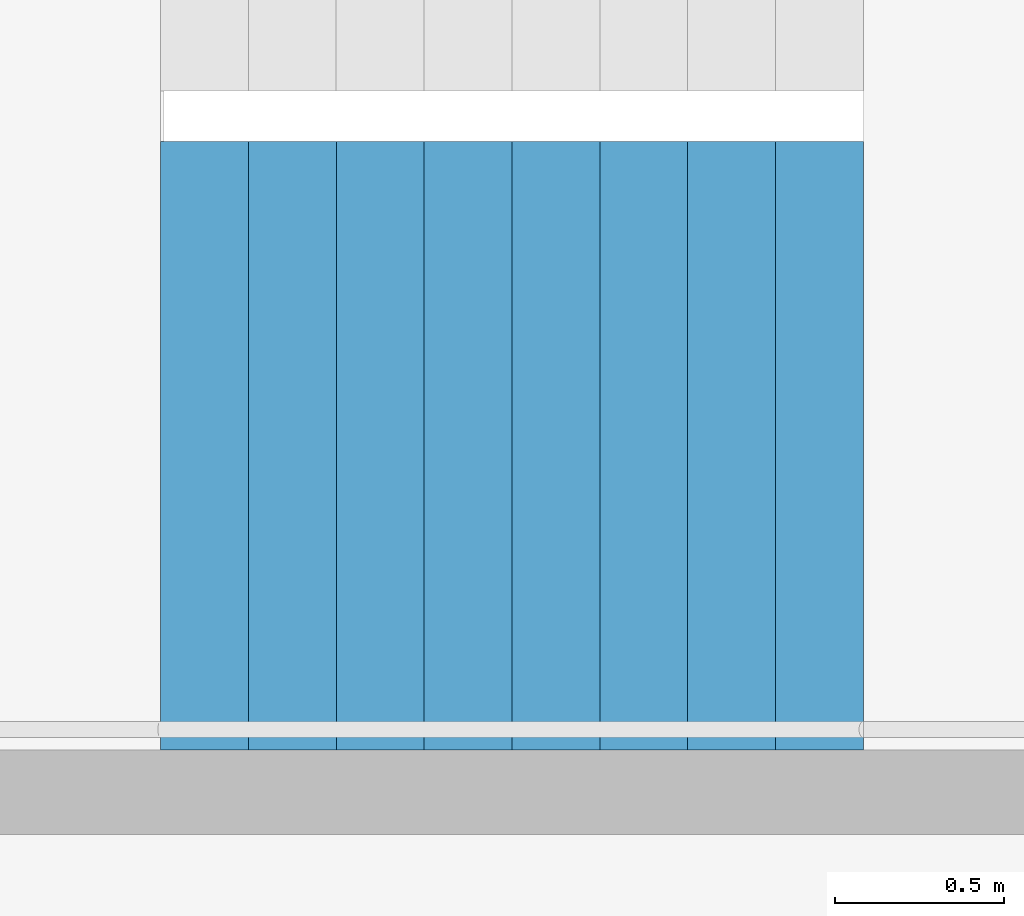
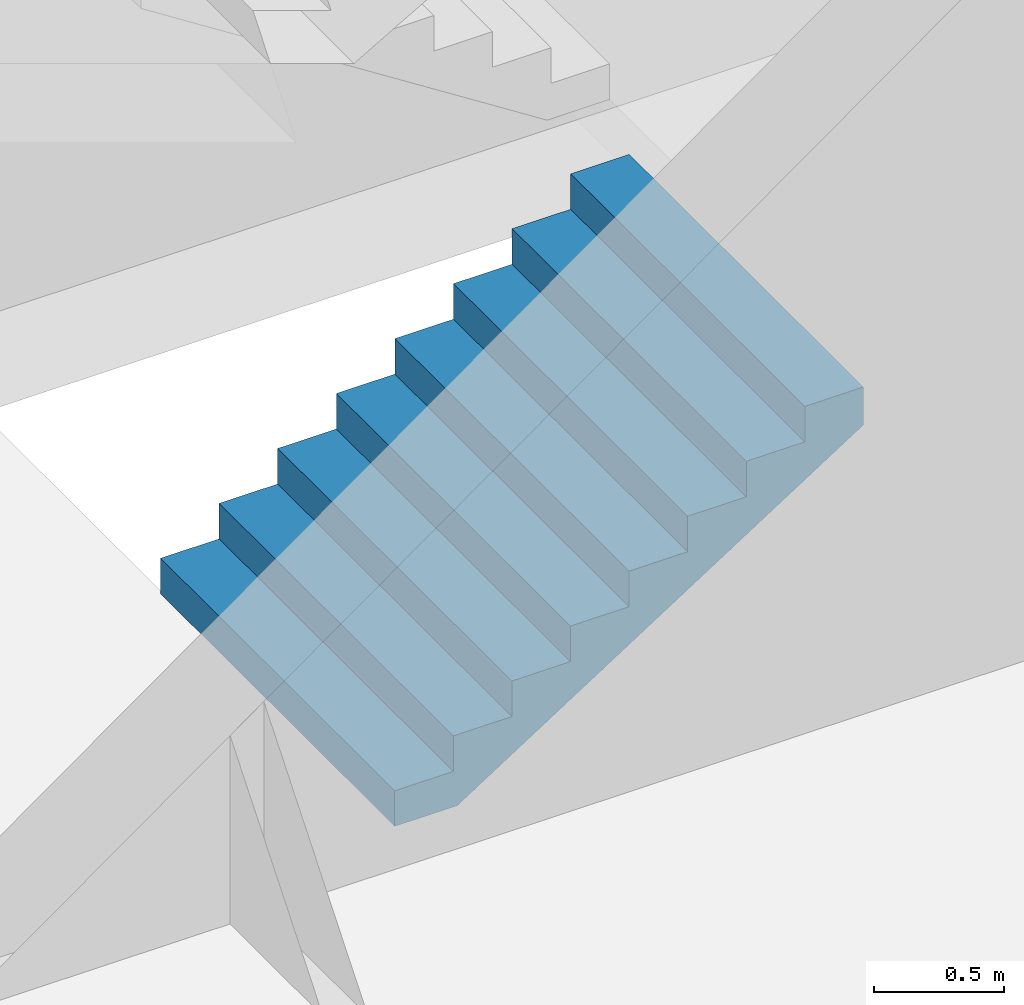
# One storey, part 22 of 35: 1 stair flight, 1 element without a shape of its own.
"""IFC4 building model written with IfcOpenShell, lengths in metres."""

import ifcopenshell
import ifcopenshell.guid

model = None  # the IFC model being written
_history = None  # IfcOwnerHistory: only IFC2X3 demands one
_inside = {}  # id of a spatial element -> (the spatial element, [elements in it])
_under = {}  # id of a project, library or spatial element -> (it, [spatial elements below it])
_declared = {}  # id of a project -> (the project, [libraries it declares])
_typed = {}  # id of a type object -> (the type object, [elements of that type])
_made_of = {}  # id of a material, layer set ... -> (it, [elements and type objects made of it])


def new_model(schema):
    """Start an empty IFC model of exactly this schema.

    Asked for "IFC4X3", IfcOpenShell would pick the latest addendum, in which some entities
    have other attributes; the version numbers below select the first issue.
    IFC2X3 requires an IfcOwnerHistory on every rooted entity: one is made here for all.
    """
    global model, _history
    if schema == "IFC4X3":
        model = ifcopenshell.file(schema_version=(4, 3, 0, 0))
    else:
        model = ifcopenshell.file(schema=schema)
    _inside.clear()
    _under.clear()
    _declared.clear()
    _typed.clear()
    _made_of.clear()
    _history = None
    if model.schema == "IFC2X3":
        org = make("IfcOrganization", Name="unknown")
        user = make(
            "IfcPersonAndOrganization",
            ThePerson=make("IfcPerson", FamilyName="unknown"),
            TheOrganization=org,
        )
        app = make(
            "IfcApplication",
            ApplicationDeveloper=org,
            Version="unknown",
            ApplicationFullName="unknown",
            ApplicationIdentifier="unknown",
        )
        _history = make(
            "IfcOwnerHistory",
            OwningUser=user,
            OwningApplication=app,
            ChangeAction="ADDED",
            CreationDate=0,
        )
    return model


def make(cls, **values):
    """One entity of the class cls with the attributes given. An attribute that is None is left unset."""
    return model.create_entity(
        cls, **{name: value for name, value in values.items() if value is not None}
    )


def rooted(cls, **values):
    """An entity with a GlobalId (a new one), such as an element, a storey or a relation."""
    return make(cls, GlobalId=ifcopenshell.guid.new(), OwnerHistory=_history, **values)


def si_unit(unit_type, name, prefix=None):
    """IfcSIUnit, for example si_unit("LENGTHUNIT", "METRE", prefix="MILLI")."""
    return make("IfcSIUnit", UnitType=unit_type, Prefix=prefix, Name=name)


def assignment(units):
    """IfcUnitAssignment: the units of a project."""
    return None if units is None else make("IfcUnitAssignment", Units=units)


def point(xyz):
    """IfcCartesianPoint."""
    return None if xyz is None else make("IfcCartesianPoint", Coordinates=xyz)


def direction(xyz):
    """IfcDirection."""
    return None if xyz is None else make("IfcDirection", DirectionRatios=xyz)


def frame(location, z_axis=None, x_axis=None):
    """IfcAxis2Placement3D, a coordinate frame: its origin and axes. An axis left out is left unset."""
    return make(
        "IfcAxis2Placement3D",
        Location=point(location),
        Axis=direction(z_axis),
        RefDirection=direction(x_axis),
    )


def origin():
    """The frame at (0, 0, 0) with its axes left unset."""
    return frame((0.0, 0.0, 0.0))


def place(relative_to, where):
    """IfcLocalPlacement: puts the frame where relative to a parent placement (None: the world)."""
    return make(
        "IfcLocalPlacement", PlacementRelTo=relative_to, RelativePlacement=where
    )


def context(
    kind, dimensions, precision=None, world=None, true_north=None, identifier=None
):
    """IfcGeometricRepresentationContext, for example the 3D "Model" context."""
    return make(
        "IfcGeometricRepresentationContext",
        ContextIdentifier=identifier,
        ContextType=kind,
        CoordinateSpaceDimension=dimensions,
        Precision=precision,
        WorldCoordinateSystem=world,
        TrueNorth=true_north,
    )


def subcontext(parent, identifier, kind, view, scale=None):
    """IfcGeometricRepresentationSubContext, for example "Body" below "Model"."""
    return make(
        "IfcGeometricRepresentationSubContext",
        ContextIdentifier=identifier,
        ContextType=kind,
        ParentContext=parent,
        TargetScale=scale,
        TargetView=view,
    )


def project(units=None, contexts=None):
    """IfcProject with its units and contexts."""
    return rooted(
        "IfcProject",
        Name="project",
        RepresentationContexts=contexts,
        UnitsInContext=assignment(units),
    )


def spatial(cls, under=None, at=None, **own):
    """A site, building, storey or space (cls), placed at a placement, below another one or the project."""
    s = rooted(cls, ObjectPlacement=at, **own)
    if under is not None:
        _under.setdefault(under.id(), (under, []))[1].append(s)
    return s


def point_list(points):
    """IfcCartesianPointList2D or 3D."""
    cls = (
        "IfcCartesianPointList2D" if len(points[0]) == 2 else "IfcCartesianPointList3D"
    )
    return make(cls, CoordList=points)


def triangles(points, corners, closed=None, point_numbers=None):
    """IfcTriangulatedFaceSet: each triangle names its three corners, points numbered from 1."""
    return make(
        "IfcTriangulatedFaceSet",
        Coordinates=point_list(points),
        Closed=closed,
        CoordIndex=corners,
        PnIndex=point_numbers,
    )


def shape(context_of_items, identifier, shape_type, items):
    """IfcShapeRepresentation: the items that make up one representation, for example the "Body"."""
    return make(
        "IfcShapeRepresentation",
        ContextOfItems=context_of_items,
        RepresentationIdentifier=identifier,
        RepresentationType=shape_type,
        Items=items,
    )


def material(Name=None, Category=None):
    """IfcMaterial."""
    return make("IfcMaterial", Name=Name, Category=Category)


def made_of(thing, what):
    """Note that an element or type object is made of a material, layer set ...; save() writes the relation."""
    if what is not None:
        _made_of.setdefault(what.id(), (what, []))[1].append(thing)
    return thing


def type_object(cls, material=None, **own):
    """A type object (cls), such as IfcWallType, which elements share."""
    return made_of(rooted(cls, **own), material)


def element(
    cls,
    number,
    at=None,
    inside=None,
    cuts=None,
    type_object=None,
    material=None,
    context=None,
    identifier="Body",
    shape_type=None,
    held_by="IfcProductDefinitionShape",
    body=None,
    shapes=None,
    **own,
):
    """One element of the class cls, such as IfcWall. Its Tag is "e" and its number.

    at: its placement. inside: the storey or other place that contains it. cuts: it is an
    opening in that element (IfcRelVoidsElement). A single representation is given by context,
    identifier, shape_type and body (its items); several are given by shapes. held_by: the class
    of the entity that holds the representations. save() writes the other relations.
    """
    e = rooted(cls, Tag="e%d" % number, ObjectPlacement=at, **own)
    if body is not None:
        shapes = [shape(context, identifier, shape_type, body)]
    if shapes is not None:
        e.Representation = make(held_by, Representations=shapes)
    if inside is not None:
        _inside.setdefault(inside.id(), (inside, []))[1].append(e)
    if cuts is not None:
        rooted(
            "IfcRelVoidsElement", RelatingBuildingElement=cuts, RelatedOpeningElement=e
        )
    if type_object is not None:
        _typed.setdefault(type_object.id(), (type_object, []))[1].append(e)
    return made_of(e, material)


def aggregate(whole, parts):
    """IfcRelAggregates: a whole, such as a stair, and the parts it consists of."""
    return rooted("IfcRelAggregates", RelatingObject=whole, RelatedObjects=parts)


def save(model, path):
    """Write the relations noted so far, then the file.

    IfcRelAggregates (storeys below a building ...), IfcRelContainedInSpatialStructure (elements
    in a storey), IfcRelDefinesByType, IfcRelAssociatesMaterial and IfcRelDeclares: one each for
    every whole, place, type object, material and project.
    """
    for whole, parts in _under.values():
        aggregate(whole, parts)
    for where, things in _inside.values():
        rooted(
            "IfcRelContainedInSpatialStructure",
            RelatedElements=things,
            RelatingStructure=where,
        )
    for kind, things in _typed.values():
        rooted("IfcRelDefinesByType", RelatedObjects=things, RelatingType=kind)
    for what, things in _made_of.values():
        rooted("IfcRelAssociatesMaterial", RelatedObjects=things, RelatingMaterial=what)
    for by, libraries in _declared.values():
        rooted("IfcRelDeclares", RelatingContext=by, RelatedDefinitions=libraries)
    model.write(path)


model = new_model("IFC4")

# Units and contexts
model_context = context("Model", 3, precision=1e-05, world=origin(), true_north=direction((0.0, 1.0)))
body_context = subcontext(model_context, "Body", "Model", "MODEL_VIEW")
ifc_project = project(units=[si_unit("LENGTHUNIT", "METRE"), si_unit("AREAUNIT", "SQUARE_METRE"), si_unit("VOLUMEUNIT", "CUBIC_METRE"), si_unit("PLANEANGLEUNIT", "RADIAN"), si_unit("MASSUNIT", "GRAM", prefix="KILO")], contexts=[model_context])

# Site, building, storey
site_placement = place(None, origin())
site = spatial("IfcSite", under=ifc_project, at=site_placement, CompositionType="ELEMENT")
building_placement = place(site_placement, origin())
building = spatial("IfcBuilding", under=site, at=building_placement, Name="Hakoniwa Tower and Hamabe Station Hall", CompositionType="ELEMENT")
storey_placement = place(building_placement, frame((0.0, 0.0, 270.60009765625)))
storey = spatial("IfcBuildingStorey", under=building, at=storey_placement, Name="L76", CompositionType="ELEMENT", Elevation=270.60009765625)

# Stair, stair flight
ifc_material_1 = material(Name="Concrete C40", Category="concrete")
stair_type = type_object("IfcStairType", Name="ESCAPE STAIR 1800", PredefinedType="HALF_TURN_STAIR", material=ifc_material_1)
stair_placement = place(storey_placement, origin())
stair = element("IfcStair", 1, at=stair_placement, inside=storey, type_object=stair_type, Name="Escape stair ST-1 L76", PredefinedType="HALF_TURN_STAIR")
ifc_material_2 = material(Name="Concrete C40", Category="concrete")
stair_flight_type = type_object("IfcStairFlightType", Name="STAIR FLIGHT 1800", PredefinedType="STRAIGHT", material=ifc_material_2)
stair_flight_placement = place(storey_placement, frame((-24.39990234375, 4.64990234375, 0.0), z_axis=(0.0, 0.0, 1.0), x_axis=(1.0, 0.0, 0.0)))
stair_flight = element("IfcStairFlight", 2, at=stair_flight_placement, type_object=stair_flight_type, Name="ST-1 flight 1", NumberOfRisers=9, NumberOfTreads=8, PredefinedType="STRAIGHT", RiserHeight=0.166666667, TreadLength=0.26, context=body_context, shape_type="Tessellation", body=[
    triangles([(0.0, 0.89990234375, 0.0), (0.260009765625, 0.89990234375, 0.0), (0.27783203125, 0.89990234375, 0.0), (0.52001953125, 0.89990234375, 0.1552734375), (0.780029296875, 0.89990234375, 0.322021484375), (1.0400390625, 0.89990234375, 0.488525390625), (1.300048828125, 0.89990234375, 0.6552734375), (1.56005859375, 0.89990234375, 0.822021484375), (1.820068359375, 0.89990234375, 0.988525390625), (2.080078125, 0.89990234375, 1.1552734375), (2.080078125, 0.89990234375, 1.333251953125), (1.820068359375, 0.89990234375, 1.333251953125), (1.820068359375, 0.89990234375, 1.166748046875), (1.56005859375, 0.89990234375, 1.166748046875), (1.56005859375, 0.89990234375, 1.0), (1.300048828125, 0.89990234375, 1.0), (1.300048828125, 0.89990234375, 0.833251953125), (1.0400390625, 0.89990234375, 0.833251953125), (1.0400390625, 0.89990234375, 0.666748046875), (0.780029296875, 0.89990234375, 0.666748046875), (0.780029296875, 0.89990234375, 0.5), (0.52001953125, 0.89990234375, 0.5), (0.52001953125, 0.89990234375, 0.333251953125), (0.27783203125, 0.89990234375, 0.333251953125), (0.260009765625, 0.89990234375, 0.333251953125), (0.260009765625, 0.89990234375, 0.166748046875), (0.0, 0.89990234375, 0.166748046875), (0.0, 0.06005859375, 0.0), (0.260009765625, 0.06005859375, 0.0), (0.27783203125, 0.06005859375, 0.0), (0.52001953125, 0.06005859375, 0.1552734375), (0.780029296875, 0.06005859375, 0.322021484375), (1.0400390625, 0.06005859375, 0.488525390625), (1.300048828125, 0.06005859375, 0.6552734375), (1.56005859375, 0.06005859375, 0.822021484375), (1.820068359375, 0.06005859375, 0.988525390625), (2.080078125, 0.06005859375, 1.1552734375), (2.080078125, 0.06005859375, 1.333251953125), (1.820068359375, 0.06005859375, 1.333251953125), (1.820068359375, 0.06005859375, 1.166748046875), (1.56005859375, 0.06005859375, 1.166748046875), (1.56005859375, 0.06005859375, 1.0), (1.300048828125, 0.06005859375, 1.0), (1.300048828125, 0.06005859375, 0.833251953125), (1.0400390625, 0.06005859375, 0.833251953125), (1.0400390625, 0.06005859375, 0.666748046875), (0.780029296875, 0.06005859375, 0.666748046875), (0.780029296875, 0.06005859375, 0.5), (0.52001953125, 0.06005859375, 0.5), (0.52001953125, 0.06005859375, 0.333251953125), (0.27783203125, 0.06005859375, 0.333251953125), (0.260009765625, 0.06005859375, 0.333251953125), (0.260009765625, 0.06005859375, 0.166748046875), (0.0, 0.06005859375, 0.166748046875), (0.0, 0.04296875, 0.0), (0.260009765625, 0.04296875, 0.0), (0.27783203125, 0.04296875, 0.0), (0.52001953125, 0.04296875, 0.1552734375), (0.780029296875, 0.04296875, 0.322021484375), (1.0400390625, 0.04296875, 0.488525390625), (1.300048828125, 0.04296875, 0.6552734375), (1.56005859375, 0.04296875, 0.822021484375), (1.820068359375, 0.04296875, 0.988525390625), (2.080078125, 0.04296875, 1.1552734375), (2.080078125, 0.04296875, 1.333251953125), (1.820068359375, 0.04296875, 1.333251953125), (1.820068359375, 0.04296875, 1.166748046875), (1.56005859375, 0.04296875, 1.166748046875), (1.56005859375, 0.04296875, 1.0), (1.300048828125, 0.04296875, 1.0), (1.300048828125, 0.04296875, 0.833251953125), (1.0400390625, 0.04296875, 0.833251953125), (1.0400390625, 0.04296875, 0.666748046875), (0.780029296875, 0.04296875, 0.666748046875), (0.780029296875, 0.04296875, 0.5), (0.52001953125, 0.04296875, 0.5), (0.52001953125, 0.04296875, 0.333251953125), (0.27783203125, 0.04296875, 0.333251953125), (0.260009765625, 0.04296875, 0.333251953125), (0.260009765625, 0.04296875, 0.166748046875), (0.0, 0.04296875, 0.166748046875), (0.0, 0.025634765625, 0.0), (0.260009765625, 0.025634765625, 0.0), (0.27783203125, 0.025634765625, 0.0), (0.52001953125, 0.025634765625, 0.1552734375), (0.780029296875, 0.025634765625, 0.322021484375), (1.0400390625, 0.025634765625, 0.488525390625), (1.300048828125, 0.025634765625, 0.6552734375), (1.56005859375, 0.025634765625, 0.822021484375), (1.820068359375, 0.025634765625, 0.988525390625), (2.080078125, 0.025634765625, 1.1552734375), (2.080078125, 0.025634765625, 1.333251953125), (1.820068359375, 0.025634765625, 1.333251953125), (1.820068359375, 0.025634765625, 1.166748046875), (1.56005859375, 0.025634765625, 1.166748046875), (1.56005859375, 0.025634765625, 1.0), (1.300048828125, 0.025634765625, 1.0), (1.300048828125, 0.025634765625, 0.833251953125), (1.0400390625, 0.025634765625, 0.833251953125), (1.0400390625, 0.025634765625, 0.666748046875), (0.780029296875, 0.025634765625, 0.666748046875), (0.780029296875, 0.025634765625, 0.5), (0.52001953125, 0.025634765625, 0.5), (0.52001953125, 0.025634765625, 0.333251953125), (0.27783203125, 0.025634765625, 0.333251953125), (0.260009765625, 0.025634765625, 0.333251953125), (0.260009765625, 0.025634765625, 0.166748046875), (0.0, 0.025634765625, 0.166748046875), (0.0, 0.008544921875, 0.0), (0.260009765625, 0.008544921875, 0.0), (0.27783203125, 0.008544921875, 0.0), (0.52001953125, 0.008544921875, 0.1552734375), (0.780029296875, 0.008544921875, 0.322021484375), (1.0400390625, 0.008544921875, 0.488525390625), (1.300048828125, 0.008544921875, 0.6552734375), (1.56005859375, 0.008544921875, 0.822021484375), (1.820068359375, 0.008544921875, 0.988525390625), (2.080078125, 0.008544921875, 1.1552734375), (2.080078125, 0.008544921875, 1.333251953125), (1.820068359375, 0.008544921875, 1.333251953125), (1.820068359375, 0.008544921875, 1.166748046875), (1.56005859375, 0.008544921875, 1.166748046875), (1.56005859375, 0.008544921875, 1.0), (1.300048828125, 0.008544921875, 1.0), (1.300048828125, 0.008544921875, 0.833251953125), (1.0400390625, 0.008544921875, 0.833251953125), (1.0400390625, 0.008544921875, 0.666748046875), (0.780029296875, 0.008544921875, 0.666748046875), (0.780029296875, 0.008544921875, 0.5), (0.52001953125, 0.008544921875, 0.5), (0.52001953125, 0.008544921875, 0.333251953125), (0.27783203125, 0.008544921875, 0.333251953125), (0.260009765625, 0.008544921875, 0.333251953125), (0.260009765625, 0.008544921875, 0.166748046875), (0.0, 0.008544921875, 0.166748046875), (0.0, -0.008544921875, 0.0), (0.260009765625, -0.008544921875, 0.0), (0.27783203125, -0.008544921875, 0.0), (0.52001953125, -0.008544921875, 0.1552734375), (0.780029296875, -0.008544921875, 0.322021484375), (1.0400390625, -0.008544921875, 0.488525390625), (1.300048828125, -0.008544921875, 0.6552734375), (1.56005859375, -0.008544921875, 0.822021484375), (1.820068359375, -0.008544921875, 0.988525390625), (2.080078125, -0.008544921875, 1.1552734375), (2.080078125, -0.008544921875, 1.333251953125), (1.820068359375, -0.008544921875, 1.333251953125), (1.820068359375, -0.008544921875, 1.166748046875), (1.56005859375, -0.008544921875, 1.166748046875), (1.56005859375, -0.008544921875, 1.0), (1.300048828125, -0.008544921875, 1.0), (1.300048828125, -0.008544921875, 0.833251953125), (1.0400390625, -0.008544921875, 0.833251953125), (1.0400390625, -0.008544921875, 0.666748046875), (0.780029296875, -0.008544921875, 0.666748046875), (0.780029296875, -0.008544921875, 0.5), (0.52001953125, -0.008544921875, 0.5), (0.52001953125, -0.008544921875, 0.333251953125), (0.27783203125, -0.008544921875, 0.333251953125), (0.260009765625, -0.008544921875, 0.333251953125), (0.260009765625, -0.008544921875, 0.166748046875), (0.0, -0.008544921875, 0.166748046875), (0.0, -0.025634765625, 0.0), (0.260009765625, -0.025634765625, 0.0), (0.27783203125, -0.025634765625, 0.0), (0.52001953125, -0.025634765625, 0.1552734375), (0.780029296875, -0.025634765625, 0.322021484375), (1.0400390625, -0.025634765625, 0.488525390625), (1.300048828125, -0.025634765625, 0.6552734375), (1.56005859375, -0.025634765625, 0.822021484375), (1.820068359375, -0.025634765625, 0.988525390625), (2.080078125, -0.025634765625, 1.1552734375), (2.080078125, -0.025634765625, 1.333251953125), (1.820068359375, -0.025634765625, 1.333251953125), (1.820068359375, -0.025634765625, 1.166748046875), (1.56005859375, -0.025634765625, 1.166748046875), (1.56005859375, -0.025634765625, 1.0), (1.300048828125, -0.025634765625, 1.0), (1.300048828125, -0.025634765625, 0.833251953125), (1.0400390625, -0.025634765625, 0.833251953125), (1.0400390625, -0.025634765625, 0.666748046875), (0.780029296875, -0.025634765625, 0.666748046875), (0.780029296875, -0.025634765625, 0.5), (0.52001953125, -0.025634765625, 0.5), (0.52001953125, -0.025634765625, 0.333251953125), (0.27783203125, -0.025634765625, 0.333251953125), (0.260009765625, -0.025634765625, 0.333251953125), (0.260009765625, -0.025634765625, 0.166748046875), (0.0, -0.025634765625, 0.166748046875), (0.0, -0.04296875, 0.0), (0.260009765625, -0.04296875, 0.0), (0.27783203125, -0.04296875, 0.0), (0.52001953125, -0.04296875, 0.1552734375), (0.780029296875, -0.04296875, 0.322021484375), (1.0400390625, -0.04296875, 0.488525390625), (1.300048828125, -0.04296875, 0.6552734375), (1.56005859375, -0.04296875, 0.822021484375), (1.820068359375, -0.04296875, 0.988525390625), (2.080078125, -0.04296875, 1.1552734375), (2.080078125, -0.04296875, 1.333251953125), (1.820068359375, -0.04296875, 1.333251953125), (1.820068359375, -0.04296875, 1.166748046875), (1.56005859375, -0.04296875, 1.166748046875), (1.56005859375, -0.04296875, 1.0), (1.300048828125, -0.04296875, 1.0), (1.300048828125, -0.04296875, 0.833251953125), (1.0400390625, -0.04296875, 0.833251953125), (1.0400390625, -0.04296875, 0.666748046875), (0.780029296875, -0.04296875, 0.666748046875), (0.780029296875, -0.04296875, 0.5), (0.52001953125, -0.04296875, 0.5), (0.52001953125, -0.04296875, 0.333251953125), (0.27783203125, -0.04296875, 0.333251953125), (0.260009765625, -0.04296875, 0.333251953125), (0.260009765625, -0.04296875, 0.166748046875), (0.0, -0.04296875, 0.166748046875), (0.0, -0.06005859375, 0.0), (0.260009765625, -0.06005859375, 0.0), (0.27783203125, -0.06005859375, 0.0), (0.52001953125, -0.06005859375, 0.1552734375), (0.780029296875, -0.06005859375, 0.322021484375), (1.0400390625, -0.06005859375, 0.488525390625), (1.300048828125, -0.06005859375, 0.6552734375), (1.56005859375, -0.06005859375, 0.822021484375), (1.820068359375, -0.06005859375, 0.988525390625), (2.080078125, -0.06005859375, 1.1552734375), (2.080078125, -0.06005859375, 1.333251953125), (1.820068359375, -0.06005859375, 1.333251953125), (1.820068359375, -0.06005859375, 1.166748046875), (1.56005859375, -0.06005859375, 1.166748046875), (1.56005859375, -0.06005859375, 1.0), (1.300048828125, -0.06005859375, 1.0), (1.300048828125, -0.06005859375, 0.833251953125), (1.0400390625, -0.06005859375, 0.833251953125), (1.0400390625, -0.06005859375, 0.666748046875), (0.780029296875, -0.06005859375, 0.666748046875), (0.780029296875, -0.06005859375, 0.5), (0.52001953125, -0.06005859375, 0.5), (0.52001953125, -0.06005859375, 0.333251953125), (0.27783203125, -0.06005859375, 0.333251953125), (0.260009765625, -0.06005859375, 0.333251953125), (0.260009765625, -0.06005859375, 0.166748046875), (0.0, -0.06005859375, 0.166748046875), (0.0, -0.89990234375, 0.0), (0.260009765625, -0.89990234375, 0.0), (0.27783203125, -0.89990234375, 0.0), (0.52001953125, -0.89990234375, 0.1552734375), (0.780029296875, -0.89990234375, 0.322021484375), (1.0400390625, -0.89990234375, 0.488525390625), (1.300048828125, -0.89990234375, 0.6552734375), (1.56005859375, -0.89990234375, 0.822021484375), (1.820068359375, -0.89990234375, 0.988525390625), (2.080078125, -0.89990234375, 1.1552734375), (2.080078125, -0.89990234375, 1.333251953125), (1.820068359375, -0.89990234375, 1.333251953125), (1.820068359375, -0.89990234375, 1.166748046875), (1.56005859375, -0.89990234375, 1.166748046875), (1.56005859375, -0.89990234375, 1.0), (1.300048828125, -0.89990234375, 1.0), (1.300048828125, -0.89990234375, 0.833251953125), (1.0400390625, -0.89990234375, 0.833251953125), (1.0400390625, -0.89990234375, 0.666748046875), (0.780029296875, -0.89990234375, 0.666748046875), (0.780029296875, -0.89990234375, 0.5), (0.52001953125, -0.89990234375, 0.5), (0.52001953125, -0.89990234375, 0.333251953125), (0.27783203125, -0.89990234375, 0.333251953125), (0.260009765625, -0.89990234375, 0.333251953125), (0.260009765625, -0.89990234375, 0.166748046875), (0.0, -0.89990234375, 0.166748046875)], [[2, 27, 26], [245, 269, 270], [2, 1, 27], [245, 270, 244], [3, 25, 24], [246, 267, 268], [3, 26, 25], [246, 268, 269], [3, 2, 26], [246, 269, 245], [4, 24, 23], [247, 266, 267], [4, 3, 24], [247, 267, 246], [5, 22, 21], [248, 264, 265], [5, 23, 22], [248, 265, 266], [5, 4, 23], [248, 266, 247], [6, 20, 19], [249, 262, 263], [6, 21, 20], [249, 263, 264], [6, 5, 21], [249, 264, 248], [7, 18, 17], [250, 260, 261], [7, 19, 18], [250, 261, 262], [7, 6, 19], [250, 262, 249], [8, 16, 15], [251, 258, 259], [8, 17, 16], [251, 259, 260], [8, 7, 17], [251, 260, 250], [9, 14, 13], [252, 256, 257], [9, 15, 14], [252, 257, 258], [9, 8, 15], [252, 258, 251], [10, 12, 11], [253, 254, 255], [10, 13, 12], [253, 255, 256], [10, 9, 13], [253, 256, 252], [1, 2, 29], [1, 29, 28], [28, 29, 56], [28, 56, 55], [55, 56, 83], [55, 83, 82], [82, 83, 110], [82, 110, 109], [109, 110, 137], [109, 137, 136], [136, 137, 164], [136, 164, 163], [163, 164, 191], [163, 191, 190], [190, 191, 218], [190, 218, 217], [217, 218, 245], [217, 245, 244], [2, 3, 30], [2, 30, 29], [29, 30, 57], [29, 57, 56], [56, 57, 84], [56, 84, 83], [83, 84, 111], [83, 111, 110], [110, 111, 138], [110, 138, 137], [137, 138, 165], [137, 165, 164], [164, 165, 192], [164, 192, 191], [191, 192, 219], [191, 219, 218], [218, 219, 246], [218, 246, 245], [3, 4, 31], [3, 31, 30], [30, 31, 58], [30, 58, 57], [57, 58, 85], [57, 85, 84], [84, 85, 112], [84, 112, 111], [111, 112, 139], [111, 139, 138], [138, 139, 166], [138, 166, 165], [165, 166, 193], [165, 193, 192], [192, 193, 220], [192, 220, 219], [219, 220, 247], [219, 247, 246], [4, 5, 32], [4, 32, 31], [31, 32, 59], [31, 59, 58], [58, 59, 86], [58, 86, 85], [85, 86, 113], [85, 113, 112], [112, 113, 140], [112, 140, 139], [139, 140, 167], [139, 167, 166], [166, 167, 194], [166, 194, 193], [193, 194, 221], [193, 221, 220], [220, 221, 248], [220, 248, 247], [5, 6, 33], [5, 33, 32], [32, 33, 60], [32, 60, 59], [59, 60, 87], [59, 87, 86], [86, 87, 114], [86, 114, 113], [113, 114, 141], [113, 141, 140], [140, 141, 168], [140, 168, 167], [167, 168, 195], [167, 195, 194], [194, 195, 222], [194, 222, 221], [221, 222, 249], [221, 249, 248], [6, 7, 34], [6, 34, 33], [33, 34, 61], [33, 61, 60], [60, 61, 88], [60, 88, 87], [87, 88, 115], [87, 115, 114], [114, 115, 142], [114, 142, 141], [141, 142, 169], [141, 169, 168], [168, 169, 196], [168, 196, 195], [195, 196, 223], [195, 223, 222], [222, 223, 250], [222, 250, 249], [7, 8, 35], [7, 35, 34], [34, 35, 62], [34, 62, 61], [61, 62, 89], [61, 89, 88], [88, 89, 116], [88, 116, 115], [115, 116, 143], [115, 143, 142], [142, 143, 170], [142, 170, 169], [169, 170, 197], [169, 197, 196], [196, 197, 224], [196, 224, 223], [223, 224, 251], [223, 251, 250], [8, 9, 36], [8, 36, 35], [35, 36, 63], [35, 63, 62], [62, 63, 90], [62, 90, 89], [89, 90, 117], [89, 117, 116], [116, 117, 144], [116, 144, 143], [143, 144, 171], [143, 171, 170], [170, 171, 198], [170, 198, 197], [197, 198, 225], [197, 225, 224], [224, 225, 252], [224, 252, 251], [9, 10, 37], [9, 37, 36], [36, 37, 64], [36, 64, 63], [63, 64, 91], [63, 91, 90], [90, 91, 118], [90, 118, 117], [117, 118, 145], [117, 145, 144], [144, 145, 172], [144, 172, 171], [171, 172, 199], [171, 199, 198], [198, 199, 226], [198, 226, 225], [225, 226, 253], [225, 253, 252], [10, 11, 38], [10, 38, 37], [37, 38, 65], [37, 65, 64], [64, 65, 92], [64, 92, 91], [91, 92, 119], [91, 119, 118], [118, 119, 146], [118, 146, 145], [145, 146, 173], [145, 173, 172], [172, 173, 200], [172, 200, 199], [199, 200, 227], [199, 227, 226], [226, 227, 254], [226, 254, 253], [11, 12, 39], [11, 39, 38], [38, 39, 66], [38, 66, 65], [65, 66, 93], [65, 93, 92], [92, 93, 120], [92, 120, 119], [119, 120, 147], [119, 147, 146], [146, 147, 174], [146, 174, 173], [173, 174, 201], [173, 201, 200], [200, 201, 228], [200, 228, 227], [227, 228, 255], [227, 255, 254], [12, 13, 40], [12, 40, 39], [39, 40, 67], [39, 67, 66], [66, 67, 94], [66, 94, 93], [93, 94, 121], [93, 121, 120], [120, 121, 148], [120, 148, 147], [147, 148, 175], [147, 175, 174], [174, 175, 202], [174, 202, 201], [201, 202, 229], [201, 229, 228], [228, 229, 256], [228, 256, 255], [13, 14, 41], [13, 41, 40], [40, 41, 68], [40, 68, 67], [67, 68, 95], [67, 95, 94], [94, 95, 122], [94, 122, 121], [121, 122, 149], [121, 149, 148], [148, 149, 176], [148, 176, 175], [175, 176, 203], [175, 203, 202], [202, 203, 230], [202, 230, 229], [229, 230, 257], [229, 257, 256], [14, 15, 42], [14, 42, 41], [41, 42, 69], [41, 69, 68], [68, 69, 96], [68, 96, 95], [95, 96, 123], [95, 123, 122], [122, 123, 150], [122, 150, 149], [149, 150, 177], [149, 177, 176], [176, 177, 204], [176, 204, 203], [203, 204, 231], [203, 231, 230], [230, 231, 258], [230, 258, 257], [15, 16, 43], [15, 43, 42], [42, 43, 70], [42, 70, 69], [69, 70, 97], [69, 97, 96], [96, 97, 124], [96, 124, 123], [123, 124, 151], [123, 151, 150], [150, 151, 178], [150, 178, 177], [177, 178, 205], [177, 205, 204], [204, 205, 232], [204, 232, 231], [231, 232, 259], [231, 259, 258], [16, 17, 44], [16, 44, 43], [43, 44, 71], [43, 71, 70], [70, 71, 98], [70, 98, 97], [97, 98, 125], [97, 125, 124], [124, 125, 152], [124, 152, 151], [151, 152, 179], [151, 179, 178], [178, 179, 206], [178, 206, 205], [205, 206, 233], [205, 233, 232], [232, 233, 260], [232, 260, 259], [17, 18, 45], [17, 45, 44], [44, 45, 72], [44, 72, 71], [71, 72, 99], [71, 99, 98], [98, 99, 126], [98, 126, 125], [125, 126, 153], [125, 153, 152], [152, 153, 180], [152, 180, 179], [179, 180, 207], [179, 207, 206], [206, 207, 234], [206, 234, 233], [233, 234, 261], [233, 261, 260], [18, 19, 46], [18, 46, 45], [45, 46, 73], [45, 73, 72], [72, 73, 100], [72, 100, 99], [99, 100, 127], [99, 127, 126], [126, 127, 154], [126, 154, 153], [153, 154, 181], [153, 181, 180], [180, 181, 208], [180, 208, 207], [207, 208, 235], [207, 235, 234], [234, 235, 262], [234, 262, 261], [19, 20, 47], [19, 47, 46], [46, 47, 74], [46, 74, 73], [73, 74, 101], [73, 101, 100], [100, 101, 128], [100, 128, 127], [127, 128, 155], [127, 155, 154], [154, 155, 182], [154, 182, 181], [181, 182, 209], [181, 209, 208], [208, 209, 236], [208, 236, 235], [235, 236, 263], [235, 263, 262], [20, 21, 48], [20, 48, 47], [47, 48, 75], [47, 75, 74], [74, 75, 102], [74, 102, 101], [101, 102, 129], [101, 129, 128], [128, 129, 156], [128, 156, 155], [155, 156, 183], [155, 183, 182], [182, 183, 210], [182, 210, 209], [209, 210, 237], [209, 237, 236], [236, 237, 264], [236, 264, 263], [21, 22, 49], [21, 49, 48], [48, 49, 76], [48, 76, 75], [75, 76, 103], [75, 103, 102], [102, 103, 130], [102, 130, 129], [129, 130, 157], [129, 157, 156], [156, 157, 184], [156, 184, 183], [183, 184, 211], [183, 211, 210], [210, 211, 238], [210, 238, 237], [237, 238, 265], [237, 265, 264], [22, 23, 50], [22, 50, 49], [49, 50, 77], [49, 77, 76], [76, 77, 104], [76, 104, 103], [103, 104, 131], [103, 131, 130], [130, 131, 158], [130, 158, 157], [157, 158, 185], [157, 185, 184], [184, 185, 212], [184, 212, 211], [211, 212, 239], [211, 239, 238], [238, 239, 266], [238, 266, 265], [23, 24, 51], [23, 51, 50], [50, 51, 78], [50, 78, 77], [77, 78, 105], [77, 105, 104], [104, 105, 132], [104, 132, 131], [131, 132, 159], [131, 159, 158], [158, 159, 186], [158, 186, 185], [185, 186, 213], [185, 213, 212], [212, 213, 240], [212, 240, 239], [239, 240, 267], [239, 267, 266], [24, 25, 52], [24, 52, 51], [51, 52, 79], [51, 79, 78], [78, 79, 106], [78, 106, 105], [105, 106, 133], [105, 133, 132], [132, 133, 160], [132, 160, 159], [159, 160, 187], [159, 187, 186], [186, 187, 214], [186, 214, 213], [213, 214, 241], [213, 241, 240], [240, 241, 268], [240, 268, 267], [25, 26, 53], [25, 53, 52], [52, 53, 80], [52, 80, 79], [79, 80, 107], [79, 107, 106], [106, 107, 134], [106, 134, 133], [133, 134, 161], [133, 161, 160], [160, 161, 188], [160, 188, 187], [187, 188, 215], [187, 215, 214], [214, 215, 242], [214, 242, 241], [241, 242, 269], [241, 269, 268], [26, 27, 54], [26, 54, 53], [53, 54, 81], [53, 81, 80], [80, 81, 108], [80, 108, 107], [107, 108, 135], [107, 135, 134], [134, 135, 162], [134, 162, 161], [161, 162, 189], [161, 189, 188], [188, 189, 216], [188, 216, 215], [215, 216, 243], [215, 243, 242], [242, 243, 270], [242, 270, 269], [27, 1, 28], [27, 28, 54], [54, 28, 55], [54, 55, 81], [81, 55, 82], [81, 82, 108], [108, 82, 109], [108, 109, 135], [135, 109, 136], [135, 136, 162], [162, 136, 163], [162, 163, 189], [189, 163, 190], [189, 190, 216], [216, 190, 217], [216, 217, 243], [243, 217, 244], [243, 244, 270]], closed=True),
])
aggregate(stair, [stair_flight])

save(model, "model.ifc")
